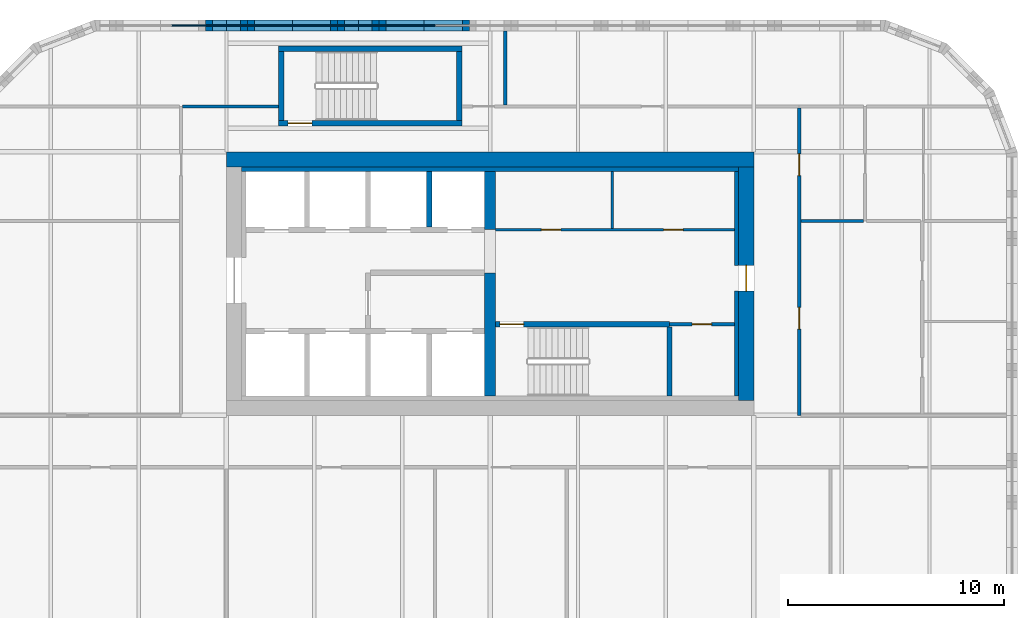
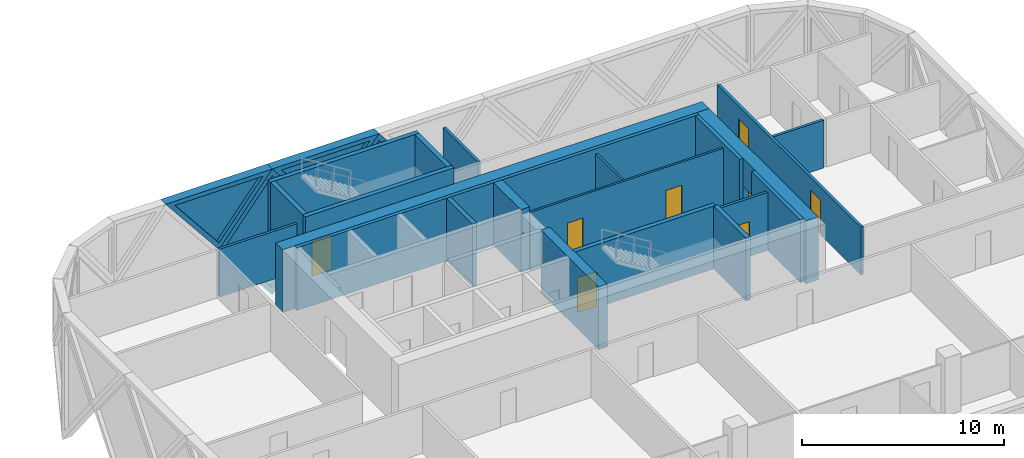
# One storey, part 18 of 24: 25 walls, 8 doors, 4 plates, 12 openings.
"""IFC4 building model written with IfcOpenShell, lengths in metres."""

from ifc_helpers import new_model, si_unit, direction, frame, frame_2d, origin, place, context, subcontext, project, spatial, polyline, rectangle, outline, extrude, faceted_brep, source, transform, mapped, material, layer, layer_set, type_object, element, fill, save


model = new_model("IFC4")

# Units and contexts
model_context = context("Model", 3, precision=1e-05, world=origin(), true_north=direction((0.0, 1.0)))
body_context = subcontext(model_context, "Body", "Model", "MODEL_VIEW")
ifc_project = project(units=[si_unit("LENGTHUNIT", "METRE"), si_unit("AREAUNIT", "SQUARE_METRE"), si_unit("VOLUMEUNIT", "CUBIC_METRE"), si_unit("PLANEANGLEUNIT", "RADIAN"), si_unit("MASSUNIT", "GRAM", prefix="KILO")], contexts=[model_context])

# Site, building, storey
site_placement = place(None, origin())
site = spatial("IfcSite", under=ifc_project, at=site_placement, CompositionType="ELEMENT")
building_placement = place(site_placement, origin())
building = spatial("IfcBuilding", under=site, at=building_placement, Name="Tessera Gate Towers", CompositionType="ELEMENT")
storey_placement = place(building_placement, frame((0.0, 0.0, 60.0)))
storey = spatial("IfcBuildingStorey", under=building, at=storey_placement, Name="L14", CompositionType="ELEMENT", Elevation=60.0)

# Wall, opening, door
ifc_material_1 = material(Name="Concrete C40/50", Category="concrete")
ifc_layer_1 = layer(ifc_material_1, 0.25)
ifc_layer_set_1 = layer_set([ifc_layer_1], Name="CORE ENCLOSURE WALL 250")
wall_type_1 = type_object("IfcWallType", Name="CORE ENCLOSURE WALL 250", PredefinedType="SOLIDWALL", material=ifc_layer_set_1)
wall_1_placement = place(storey_placement, frame((118.10009765625, 40.824951171875, 0.0), z_axis=(0.0, 0.0, 1.0), x_axis=(-1.0, 0.0, 0.0)))
wall_1 = element("IfcWall", 1, at=wall_1_placement, inside=storey, type_object=wall_type_1, Name="L14 shaft and stair enclosure wall", PredefinedType="SOLIDWALL", context=body_context, shape_type="SweptSolid", body=[
    extrude(rectangle(XDim=8.050048828125, YDim=0.25, at=frame_2d((4.02490234375, 0.0))), origin(), (0.0, 0.0, 1.0), 3.800048828125),
])
shared_shape_1 = source(origin(), body_context, "Body", "SweptSolid", [
    extrude(rectangle(XDim=1.10009765625, YDim=2.10009765625, at=frame_2d((0.550048828125, 1.050048828125))), frame((0.0, 0.135009765625, 0.0), z_axis=(0.0, -1.0, 0.0), x_axis=(1.0, 0.0, 0.0)), (0.0, 0.0, 1.0), 0.27001953125),
])
opening_1_placement = place(wall_1_placement, frame((6.75, 0.0, 0.0)))
opening_1 = element("IfcOpeningElement", 2, at=opening_1_placement, cuts=wall_1, Name="Opening SD-ST6-1", PredefinedType="OPENING", context=body_context, shape_type="MappedRepresentation", body=[
    mapped(shared_shape_1, transform((0.0, 0.0, 0.0), scale=1.0)),
])
ifc_material_2 = material(Name="Hollow steel fire door", Category="steel")
door_type_1 = type_object("IfcDoorType", Name="CORE DOOR SD1100 1100x2100", OperationType="NOTDEFINED", PredefinedType="DOOR", material=ifc_material_2)
shared_shape_2 = source(origin(), body_context, "Body", "SweptSolid", [
    extrude(rectangle(XDim=1.10009765625, YDim=2.10009765625, at=frame_2d((0.550048828125, 1.050048828125))), frame((0.0, 0.02490234375, 0.0), z_axis=(0.0, -1.0, 0.0), x_axis=(1.0, 0.0, 0.0)), (0.0, 0.0, 1.0), 0.050048828125),
])
door_1_placement = place(opening_1_placement, origin())
door_1 = element("IfcDoor", 3, at=door_1_placement, inside=storey, type_object=door_type_1, Name="Stair door", OperationType="SINGLE_SWING_RIGHT", OverallHeight=2.10009765625, OverallWidth=1.10009765625, PredefinedType="DOOR", context=body_context, shape_type="MappedRepresentation", body=[
    mapped(shared_shape_2, transform((0.0, 0.0, 0.0), scale=1.0)),
])
fill(opening_1, door_1)

# Walls
wall_2_placement = place(storey_placement, frame((118.10009765625, 37.5, 0.0), z_axis=(0.0, 0.0, 1.0), x_axis=(0.0, 1.0, 0.0)))
element("IfcWall", 4, at=wall_2_placement, inside=storey, type_object=wall_type_1, Name="L14 shaft and stair enclosure wall", PredefinedType="SOLIDWALL", context=body_context, shape_type="SweptSolid", body=[
    extrude(rectangle(XDim=3.199951171875, YDim=0.25, at=frame_2d((1.60009765625, 0.0))), origin(), (0.0, 0.0, 1.0), 3.800048828125),
])
wall_3_placement = place(storey_placement, frame((106.97509765625, 45.324951171875, 0.0), z_axis=(0.0, 0.0, 1.0), x_axis=(0.0, 1.0, 0.0)))
element("IfcWall", 5, at=wall_3_placement, inside=storey, type_object=wall_type_1, Name="L14 shaft and stair enclosure wall", PredefinedType="SOLIDWALL", context=body_context, shape_type="SweptSolid", body=[
    extrude(rectangle(XDim=2.574951171875, YDim=0.25, at=frame_2d((1.28759765625, 0.0))), origin(), (0.0, 0.0, 1.0), 3.800048828125),
])

# Wall, opening, door
wall_4_placement = place(storey_placement, frame((108.5, 50.125, 0.0), z_axis=(0.0, 0.0, 1.0), x_axis=(-1.0, 0.0, 0.0)))
wall_4 = element("IfcWall", 6, at=wall_4_placement, inside=storey, type_object=wall_type_1, Name="L14 ST7 enclosure wall", PredefinedType="SOLIDWALL", context=body_context, shape_type="SweptSolid", body=[
    extrude(rectangle(XDim=8.5, YDim=0.25, at=frame_2d((4.25, 0.0))), origin(), (0.0, 0.0, 1.0), 3.800048828125),
])
opening_2_placement = place(wall_4_placement, frame((6.949951171875, 0.0, 0.0)))
opening_2 = element("IfcOpeningElement", 7, at=opening_2_placement, cuts=wall_4, Name="Opening SD-ST7-1", PredefinedType="OPENING", context=body_context, shape_type="MappedRepresentation", body=[
    mapped(shared_shape_1, transform((0.0, 0.0, 0.0), scale=1.0)),
])
door_2_placement = place(opening_2_placement, origin())
door_2 = element("IfcDoor", 8, at=door_2_placement, inside=storey, type_object=door_type_1, Name="Stair door", OperationType="SINGLE_SWING_RIGHT", OverallHeight=2.10009765625, OverallWidth=1.10009765625, PredefinedType="DOOR", context=body_context, shape_type="MappedRepresentation", body=[
    mapped(shared_shape_2, transform((0.0, 0.0, 0.0), scale=1.0)),
])
fill(opening_2, door_2)

# Walls
wall_5_placement = place(storey_placement, frame((100.125, 50.25, 0.0), z_axis=(0.0, 0.0, 1.0), x_axis=(0.0, 1.0, 0.0)))
element("IfcWall", 9, at=wall_5_placement, inside=storey, type_object=wall_type_1, Name="L14 ST7 enclosure wall", PredefinedType="SOLIDWALL", context=body_context, shape_type="SweptSolid", body=[
    extrude(rectangle(XDim=3.199951171875, YDim=0.25, at=frame_2d((1.60009765625, 0.0))), origin(), (0.0, 0.0, 1.0), 3.800048828125),
])
wall_6_placement = place(storey_placement, frame((100.0, 53.574951171875, 0.0), z_axis=(0.0, 0.0, 1.0), x_axis=(1.0, 0.0, 0.0)))
element("IfcWall", 10, at=wall_6_placement, inside=storey, type_object=wall_type_1, Name="L14 ST7 enclosure wall", PredefinedType="SOLIDWALL", context=body_context, shape_type="SweptSolid", body=[
    extrude(rectangle(XDim=8.5, YDim=0.25, at=frame_2d((4.25, 0.0))), origin(), (0.0, 0.0, 1.0), 3.800048828125),
])
wall_7_placement = place(storey_placement, frame((108.375, 53.449951171875, 0.0), z_axis=(0.0, 0.0, 1.0), x_axis=(0.0, -1.0, 0.0)))
element("IfcWall", 11, at=wall_7_placement, inside=storey, type_object=wall_type_1, Name="L14 ST7 enclosure wall", PredefinedType="SOLIDWALL", context=body_context, shape_type="SweptSolid", body=[
    extrude(rectangle(XDim=3.199951171875, YDim=0.25, at=frame_2d((1.60009765625, 0.0))), origin(), (0.0, 0.0, 1.0), 3.800048828125),
])

# Wall, openings, doors
ifc_material_3 = material(Name="Gypsum board on steel studs", Category="steel")
ifc_layer_2 = layer(ifc_material_3, 0.1201171875)
ifc_layer_set_2 = layer_set([ifc_layer_2], Name="CORE PARTITION 120")
wall_type_2 = type_object("IfcWallType", Name="CORE PARTITION 120", PredefinedType="PARTITIONING", material=ifc_layer_set_2)
wall_8_placement = place(storey_placement, frame((110.050048828125, 45.199951171875, 0.0), z_axis=(0.0, 0.0, 1.0), x_axis=(1.0, 0.0, 0.0)))
wall_8 = element("IfcWall", 12, at=wall_8_placement, inside=storey, type_object=wall_type_2, Name="L14 core partition", PredefinedType="PARTITIONING", context=body_context, shape_type="SweptSolid", body=[
    extrude(rectangle(XDim=11.050048828125, YDim=0.1201171875, at=frame_2d((5.52490234375, 0.0))), origin(), (0.0, 0.0, 1.0), 3.5),
])
shared_shape_3 = source(origin(), body_context, "Body", "SweptSolid", [
    extrude(rectangle(XDim=0.89990234375, YDim=2.10009765625, at=frame_2d((0.449951171875, 1.050048828125))), frame((0.0, 0.070068359375, 0.0), z_axis=(0.0, -1.0, 0.0), x_axis=(1.0, 0.0, 0.0)), (0.0, 0.0, 1.0), 0.14013671875),
])
opening_3_placement = place(wall_8_placement, frame((2.125, 0.0, 0.0)))
opening_3 = element("IfcOpeningElement", 13, at=opening_3_placement, cuts=wall_8, Name="Opening RD-T2-04-04", PredefinedType="OPENING", context=body_context, shape_type="MappedRepresentation", body=[
    mapped(shared_shape_3, transform((0.0, 0.0, 0.0), scale=1.0)),
])
opening_4_placement = place(wall_8_placement, frame((7.77490234375, 0.0, 0.0)))
opening_4 = element("IfcOpeningElement", 14, at=opening_4_placement, cuts=wall_8, Name="Opening RD-T2-04-05", PredefinedType="OPENING", context=body_context, shape_type="MappedRepresentation", body=[
    mapped(shared_shape_3, transform((0.0, 0.0, 0.0), scale=1.0)),
])
ifc_material_4 = material(Name="Hollow steel fire door", Category="steel")
door_type_2 = type_object("IfcDoorType", Name="CORE DOOR RD 900x2100", OperationType="NOTDEFINED", PredefinedType="DOOR", material=ifc_material_4)
shared_shape_4 = source(origin(), body_context, "Body", "SweptSolid", [
    extrude(rectangle(XDim=0.89990234375, YDim=2.10009765625, at=frame_2d((0.449951171875, 1.050048828125))), frame((0.0, 0.02490234375, 0.0), z_axis=(0.0, -1.0, 0.0), x_axis=(1.0, 0.0, 0.0)), (0.0, 0.0, 1.0), 0.050048828125),
])
door_3_placement = place(opening_3_placement, origin())
door_3 = element("IfcDoor", 15, at=door_3_placement, inside=storey, type_object=door_type_2, Name="Core room door", OperationType="SINGLE_SWING_LEFT", OverallHeight=2.10009765625, OverallWidth=0.89990234375, PredefinedType="DOOR", context=body_context, shape_type="MappedRepresentation", body=[
    mapped(shared_shape_4, transform((0.0, 0.0, 0.0), scale=1.0)),
])
fill(opening_3, door_3)
door_4_placement = place(opening_4_placement, origin())
door_4 = element("IfcDoor", 16, at=door_4_placement, inside=storey, type_object=door_type_2, Name="Core room door", OperationType="SINGLE_SWING_RIGHT", OverallHeight=2.10009765625, OverallWidth=0.89990234375, PredefinedType="DOOR", context=body_context, shape_type="MappedRepresentation", body=[
    mapped(shared_shape_4, transform((0.0, 0.0, 0.0), scale=1.0)),
])
fill(opening_4, door_4)

# Walls
wall_9_placement = place(storey_placement, frame((115.449951171875, 45.260009765625, 0.0), z_axis=(0.0, 0.0, 1.0), x_axis=(0.0, 1.0, 0.0)))
element("IfcWall", 17, at=wall_9_placement, inside=storey, type_object=wall_type_2, Name="L14 core partition", PredefinedType="PARTITIONING", context=body_context, shape_type="SweptSolid", body=[
    extrude(rectangle(XDim=2.639892578125, YDim=0.1201171875, at=frame_2d((1.31982421875, 0.0))), origin(), (0.0, 0.0, 1.0), 3.5),
])
ifc_material_5 = material(Name="Concrete C60/75", Category="concrete")
ifc_layer_3 = layer(ifc_material_5, 0.699951171875)
ifc_layer_set_3 = layer_set([ifc_layer_3], Name="CORE SHEAR WALL 700 C60/75")
wall_type_3 = type_object("IfcWallType", Name="CORE SHEAR WALL 700 C60/75", PredefinedType="SHEAR", material=ifc_layer_set_3)
wall_10_placement = place(storey_placement, frame((97.60009765625, 48.449951171875, 0.0), z_axis=(0.0, 0.0, 1.0), x_axis=(1.0, 0.0, 0.0)))
element("IfcWall", 18, at=wall_10_placement, inside=storey, type_object=wall_type_3, Name="Core wall N L14", PredefinedType="SHEAR", context=body_context, shape_type="SweptSolid", body=[
    extrude(rectangle(XDim=24.39990234375, YDim=0.699951171875, at=frame_2d((12.199951171875, 0.0))), origin(), (0.0, 0.0, 1.0), 3.800048828125),
])

# Wall, opening, door
wall_11_placement = place(storey_placement, frame((121.64990234375, 48.10009765625, 0.0), z_axis=(0.0, 0.0, 1.0), x_axis=(0.0, -1.0, 0.0)))
wall_11 = element("IfcWall", 19, at=wall_11_placement, inside=storey, type_object=wall_type_3, Name="Core wall E L14", PredefinedType="SHEAR", context=body_context, shape_type="SweptSolid", body=[
    extrude(rectangle(XDim=10.800048828125, YDim=0.699951171875, at=frame_2d((5.39990234375, 0.0))), origin(), (0.0, 0.0, 1.0), 3.800048828125),
])
shared_shape_5 = source(origin(), body_context, "Body", "SweptSolid", [
    extrude(rectangle(XDim=1.199951171875, YDim=2.10009765625, at=frame_2d((0.60009765625, 1.050048828125))), frame((0.0, 0.35986328125, 0.0), z_axis=(0.0, -1.0, 0.0), x_axis=(1.0, 0.0, 0.0)), (0.0, 0.0, 1.0), 0.719970703125),
])
opening_5_placement = place(wall_11_placement, frame((4.550048828125, 0.0, 0.0)))
opening_5 = element("IfcOpeningElement", 20, at=opening_5_placement, cuts=wall_11, Name="Opening ED-T2-04-02", PredefinedType="OPENING", context=body_context, shape_type="MappedRepresentation", body=[
    mapped(shared_shape_5, transform((0.0, 0.0, 0.0), scale=1.0)),
])
ifc_material_6 = material(Name="Hollow steel fire door", Category="steel")
door_type_3 = type_object("IfcDoorType", Name="CORE DOOR ED 1200x2100", OperationType="NOTDEFINED", PredefinedType="DOOR", material=ifc_material_6)
shared_shape_6 = source(origin(), body_context, "Body", "SweptSolid", [
    extrude(rectangle(XDim=1.199951171875, YDim=2.10009765625, at=frame_2d((0.60009765625, 1.050048828125))), frame((0.0, 0.02490234375, 0.0), z_axis=(0.0, -1.0, 0.0), x_axis=(1.0, 0.0, 0.0)), (0.0, 0.0, 1.0), 0.050048828125),
])
door_5_placement = place(opening_5_placement, origin())
door_5 = element("IfcDoor", 21, at=door_5_placement, inside=storey, type_object=door_type_3, Name="Core exit door", OperationType="SINGLE_SWING_LEFT", OverallHeight=2.10009765625, OverallWidth=1.199951171875, PredefinedType="DOOR", context=body_context, shape_type="MappedRepresentation", body=[
    mapped(shared_shape_6, transform((0.0, 0.0, 0.0), scale=1.0)),
])
fill(opening_5, door_5)

# Walls
ifc_material_7 = material(Name="Concrete C60/75", Category="concrete")
ifc_layer_4 = layer(ifc_material_7, 0.5)
ifc_layer_set_4 = layer_set([ifc_layer_4], Name="CORE SPINE WALL 500 C60/75")
wall_type_4 = type_object("IfcWallType", Name="CORE SPINE WALL 500 C60/75", PredefinedType="SHEAR", material=ifc_layer_set_4)
wall_12_placement = place(storey_placement, frame((109.800048828125, 37.5, 0.0), z_axis=(0.0, 0.0, 1.0), x_axis=(0.0, 1.0, 0.0)))
element("IfcWall", 22, at=wall_12_placement, inside=storey, type_object=wall_type_4, Name="Core wall spine L14", PredefinedType="SHEAR", context=body_context, shape_type="SweptSolid", body=[
    extrude(rectangle(XDim=5.699951171875, YDim=0.5, at=frame_2d((2.85009765625, 0.0))), origin(), (0.0, 0.0, 1.0), 3.800048828125),
])
wall_13_placement = place(storey_placement, frame((109.800048828125, 45.199951171875, 0.0), z_axis=(0.0, 0.0, 1.0), x_axis=(0.0, 1.0, 0.0)))
element("IfcWall", 23, at=wall_13_placement, inside=storey, type_object=wall_type_4, Name="Core wall spine L14", PredefinedType="SHEAR", context=body_context, shape_type="SweptSolid", body=[
    extrude(rectangle(XDim=2.699951171875, YDim=0.5, at=frame_2d((1.35009765625, 0.0))), origin(), (0.0, 0.0, 1.0), 3.800048828125),
])
ifc_material_8 = material(Name="Concrete C60/75", Category="concrete")
ifc_layer_5 = layer(ifc_material_8, 0.199951171875)
ifc_layer_set_5 = layer_set([ifc_layer_5], Name="CORE WALL THICKENING 200")
wall_type_5 = type_object("IfcWallType", Name="CORE WALL THICKENING 200", PredefinedType="SOLIDWALL", material=ifc_layer_set_5)
wall_14_placement = place(storey_placement, frame((98.300048828125, 48.0, 0.0), z_axis=(0.0, 0.0, 1.0), x_axis=(1.0, 0.0, 0.0)))
element("IfcWall", 24, at=wall_14_placement, inside=storey, type_object=wall_type_5, Name="Core wall thickening N L14", PredefinedType="SOLIDWALL", context=body_context, shape_type="SweptSolid", body=[
    extrude(rectangle(XDim=23.0, YDim=0.199951171875, at=frame_2d((11.5, 0.0))), origin(), (0.0, 0.0, 1.0), 3.800048828125),
])
wall_15_placement = place(storey_placement, frame((121.199951171875, 37.5, 0.0), z_axis=(0.0, 0.0, 1.0), x_axis=(0.0, 1.0, 0.0)))
element("IfcWall", 25, at=wall_15_placement, inside=storey, type_object=wall_type_5, Name="Core wall thickening E L14", PredefinedType="SOLIDWALL", context=body_context, shape_type="SweptSolid", body=[
    extrude(rectangle(XDim=4.85009765625, YDim=0.199951171875, at=frame_2d((2.425048828125, 0.0))), origin(), (0.0, 0.0, 1.0), 3.800048828125),
])
wall_16_placement = place(storey_placement, frame((121.199951171875, 43.550048828125, 0.0), z_axis=(0.0, 0.0, 1.0), x_axis=(0.0, 1.0, 0.0)))
element("IfcWall", 26, at=wall_16_placement, inside=storey, type_object=wall_type_5, Name="Core wall thickening E L14", PredefinedType="SOLIDWALL", context=body_context, shape_type="SweptSolid", body=[
    extrude(rectangle(XDim=4.349853515625, YDim=0.199951171875, at=frame_2d((2.1748046875, 0.0))), origin(), (0.0, 0.0, 1.0), 3.800048828125),
])

# Wall, openings, doors
ifc_material_9 = material(Name="Gypsum board on steel studs, mineral wool", Category="steel")
ifc_layer_6 = layer(ifc_material_9, 0.14990234375)
ifc_layer_set_6 = layer_set([ifc_layer_6], Name="CORRIDOR WALL 150")
wall_type_6 = type_object("IfcWallType", Name="CORRIDOR WALL 150", PredefinedType="PARTITIONING", material=ifc_layer_set_6)
wall_17_placement = place(storey_placement, frame((124.10009765625, 50.823974609375, 0.0), z_axis=(0.0, 0.0, 1.0), x_axis=(0.0, -1.0, 0.0)))
wall_17 = element("IfcWall", 27, at=wall_17_placement, inside=storey, type_object=wall_type_6, Name="T2-L14-PW-019", PredefinedType="PARTITIONING", context=body_context, shape_type="SweptSolid", body=[
    extrude(rectangle(XDim=14.223876953125, YDim=0.14990234375, at=frame_2d((7.11181640625, 0.0))), origin(), (0.0, 0.0, 1.0), 2.887939453125),
])
shared_shape_7 = source(origin(), body_context, "Body", "SweptSolid", [
    extrude(rectangle(XDim=1.0, YDim=2.10009765625, at=frame_2d((0.5, 1.050048828125))), frame((0.0, 0.0849609375, 0.0), z_axis=(0.0, -1.0, 0.0), x_axis=(1.0, 0.0, 0.0)), (0.0, 0.0, 1.0), 0.169921875),
])
opening_6_placement = place(wall_17_placement, frame((2.123046875, 0.0, 0.0)))
opening_6 = element("IfcOpeningElement", 28, at=opening_6_placement, cuts=wall_17, Name="Opening D2100FD60-B06-01", PredefinedType="OPENING", context=body_context, shape_type="MappedRepresentation", body=[
    mapped(shared_shape_7, transform((0.0, 0.0, 0.0), scale=1.0)),
])
opening_7_placement = place(wall_17_placement, frame((9.22412109375, 0.0, 0.0)))
opening_7 = element("IfcOpeningElement", 29, at=opening_7_placement, cuts=wall_17, Name="Opening D2100FD60-B06-04", PredefinedType="OPENING", context=body_context, shape_type="MappedRepresentation", body=[
    mapped(shared_shape_7, transform((0.0, 0.0, 0.0), scale=1.0)),
])
ifc_material_10 = material(Name="Timber door leaf in steel frame", Category="steel")
door_type_4 = type_object("IfcDoorType", Name="TENANCY ENTRANCE DOOR 1000 FD60", OperationType="NOTDEFINED", PredefinedType="DOOR", material=ifc_material_10)
shared_shape_8 = source(origin(), body_context, "Body", "SweptSolid", [
    extrude(rectangle(XDim=1.0, YDim=2.10009765625, at=frame_2d((0.5, 1.050048828125))), frame((0.0, 0.02490234375, 0.0), z_axis=(0.0, -1.0, 0.0), x_axis=(1.0, 0.0, 0.0)), (0.0, 0.0, 1.0), 0.050048828125),
])
door_6_placement = place(opening_6_placement, origin())
door_6 = element("IfcDoor", 30, at=door_6_placement, inside=storey, type_object=door_type_4, Name="T2-L14-PD-006", OperationType="SINGLE_SWING_RIGHT", OverallHeight=2.10009765625, OverallWidth=1.0, PredefinedType="DOOR", context=body_context, shape_type="MappedRepresentation", body=[
    mapped(shared_shape_8, transform((0.0, 0.0, 0.0), scale=1.0)),
])
fill(opening_6, door_6)
door_7_placement = place(opening_7_placement, origin())
door_7 = element("IfcDoor", 31, at=door_7_placement, inside=storey, type_object=door_type_4, Name="T2-L14-PD-020", OperationType="SINGLE_SWING_RIGHT", OverallHeight=2.10009765625, OverallWidth=1.0, PredefinedType="DOOR", context=body_context, shape_type="MappedRepresentation", body=[
    mapped(shared_shape_8, transform((0.0, 0.0, 0.0), scale=1.0)),
])
fill(opening_7, door_7)

# Wall
wall_18_placement = place(storey_placement, frame((95.575927734375, 50.89990234375, 0.0), z_axis=(0.0, 0.0, 1.0), x_axis=(1.0, 0.0, 0.0)))
element("IfcWall", 32, at=wall_18_placement, inside=storey, type_object=wall_type_6, Name="T2-L14-PW-031", PredefinedType="PARTITIONING", context=body_context, shape_type="SweptSolid", body=[
    extrude(rectangle(XDim=4.424072265625, YDim=0.14990234375, at=frame_2d((2.2119140625, 0.0))), origin(), (0.0, 0.0, 1.0), 2.887939453125),
])

# Wall, opening, door
ifc_material_11 = material(Name="Gypsum board on steel studs", Category="steel")
ifc_layer_7 = layer(ifc_material_11, 0.14990234375)
ifc_layer_set_7 = layer_set([ifc_layer_7], Name="SERVICE ROOM WALL 150")
wall_type_7 = type_object("IfcWallType", Name="SERVICE ROOM WALL 150", PredefinedType="PARTITIONING", material=ifc_layer_set_7)
wall_19_placement = place(storey_placement, frame((121.10009765625, 40.824951171875, 0.0), z_axis=(0.0, 0.0, 1.0), x_axis=(-1.0, 0.0, 0.0)))
wall_19 = element("IfcWall", 33, at=wall_19_placement, inside=storey, type_object=wall_type_7, Name="L14 service room wall", PredefinedType="PARTITIONING", context=body_context, shape_type="SweptSolid", body=[
    extrude(rectangle(XDim=3.0, YDim=0.14990234375, at=frame_2d((1.5, 0.0))), origin(), (0.0, 0.0, 1.0), 3.5),
])
shared_shape_9 = source(origin(), body_context, "Body", "SweptSolid", [
    extrude(rectangle(XDim=0.89990234375, YDim=2.10009765625, at=frame_2d((0.449951171875, 1.050048828125))), frame((0.0, 0.0849609375, 0.0), z_axis=(0.0, -1.0, 0.0), x_axis=(1.0, 0.0, 0.0)), (0.0, 0.0, 1.0), 0.169921875),
])
opening_8_placement = place(wall_19_placement, frame((1.050048828125, 0.0, 0.0)))
opening_8 = element("IfcOpeningElement", 34, at=opening_8_placement, cuts=wall_19, Name="Opening RD-T2-04-06", PredefinedType="OPENING", context=body_context, shape_type="MappedRepresentation", body=[
    mapped(shared_shape_9, transform((0.0, 0.0, 0.0), scale=1.0)),
])
door_8_placement = place(opening_8_placement, origin())
door_8 = element("IfcDoor", 35, at=door_8_placement, inside=storey, type_object=door_type_2, Name="Core room door", OperationType="SINGLE_SWING_RIGHT", OverallHeight=2.10009765625, OverallWidth=0.89990234375, PredefinedType="DOOR", context=body_context, shape_type="MappedRepresentation", body=[
    mapped(shared_shape_4, transform((0.0, 0.0, 0.0), scale=1.0)),
])
fill(opening_8, door_8)

# Walls
ifc_material_12 = material(Name="Gypsum board on steel studs, mineral wool", Category="steel")
ifc_layer_8 = layer(ifc_material_12, 0.14990234375)
ifc_layer_set_8 = layer_set([ifc_layer_8], Name="TENANCY WALL 150")
wall_type_8 = type_object("IfcWallType", Name="TENANCY WALL 150", PredefinedType="PARTITIONING", material=ifc_layer_set_8)
wall_20_placement = place(storey_placement, frame((124.176025390625, 45.60009765625, 0.0), z_axis=(0.0, 0.0, 1.0), x_axis=(1.0, 0.0, 0.0)))
element("IfcWall", 36, at=wall_20_placement, inside=storey, type_object=wall_type_8, Name="T2-L14-PW-025", PredefinedType="PARTITIONING", context=body_context, shape_type="SweptSolid", body=[
    extrude(rectangle(XDim=2.89794921875, YDim=0.14990234375, at=frame_2d((1.448974609375, 0.0))), origin(), (0.0, 0.0, 1.0), 2.887939453125),
])
wall_21_placement = place(storey_placement, frame((110.5, 50.97607421875, 0.0), z_axis=(0.0, 0.0, 1.0), x_axis=(0.0, 1.0, 0.0)))
element("IfcWall", 37, at=wall_21_placement, inside=storey, type_object=wall_type_8, Name="T2-L14-PW-035", PredefinedType="PARTITIONING", context=body_context, shape_type="SweptSolid", body=[
    extrude(rectangle(XDim=3.423828125, YDim=0.14990234375, at=frame_2d((1.7119140625, 0.0))), origin(), (0.0, 0.0, 1.0), 2.887939453125),
])

# Wall, opening, plate
ifc_material_13 = material(Name="Precast concrete C60/75 white", Category="concrete")
ifc_layer_9 = layer(ifc_material_13, 0.5)
ifc_layer_set_9 = layer_set([ifc_layer_9], Name="TS1 tessera")
wall_type_9 = type_object("IfcWallType", Name="TS1 tessera", PredefinedType="SOLIDWALL", material=ifc_layer_set_9)
shared_shape_10 = source(origin(), body_context, "Body", "Brep", [
    faceted_brep([(3.050048828125, -0.25, 0.0), (6.099853515625, -0.25, 3.7998046875), (6.099853515625, -0.25, 3.80029296875), (3.050048828125, -0.25, 7.60009765625), (0.0, -0.25, 3.800048828125), (0.0, 0.25, 3.800048828125), (3.050048828125, 0.25, 7.60009765625), (6.099853515625, 0.25, 3.80029296875), (6.099853515625, 0.25, 3.7998046875), (3.050048828125, 0.25, 0.0)], [[[0, 1, 2, 3, 4]], [[5, 6, 7, 8, 9]], [[9, 8, 1, 0]], [[7, 6, 3, 2]], [[6, 5, 4, 3]], [[5, 9, 0, 4]], [[1, 8, 7, 2]]]),
])
wall_22_placement = place(storey_placement, frame((103.699951171875, 54.64990234375, -3.800048828125), z_axis=(0.0, 0.0, 1.0), x_axis=(-1.0, 0.0, 0.0)))
wall_22 = element("IfcWall", 38, at=wall_22_placement, inside=storey, type_object=wall_type_9, Name="Precast tessera T2 TS1-0175", PredefinedType="SOLIDWALL", context=body_context, shape_type="MappedRepresentation", body=[
    mapped(shared_shape_10, transform((0.0, 0.0, 0.0), scale=1.0)),
])
shared_shape_11 = source(origin(), body_context, "Body", "SweptSolid", [
    extrude(outline(polyline([(3.050048828125, 0.3994140625), (5.779541015625, 3.800048828125), (3.050048828125, 7.20068359375), (0.320556640625, 3.800048828125), (3.050048828125, 0.3994140625)])), frame((0.0, 0.260009765625, 0.0), z_axis=(0.0, -1.0, 0.0), x_axis=(1.0, 0.0, 0.0)), (0.0, 0.0, 1.0), 0.52001953125),
])
opening_9_placement = place(wall_22_placement, origin())
opening_9 = element("IfcOpeningElement", 39, at=opening_9_placement, cuts=wall_22, Name="Opening T2-PL2-0327", PredefinedType="OPENING", context=body_context, shape_type="MappedRepresentation", body=[
    mapped(shared_shape_11, transform((0.0, 0.0, 0.0), scale=1.0)),
])
ifc_material_14 = material(Name="Low-e laminated glass", Category="glass")
ifc_layer_10 = layer(ifc_material_14, 0.06005859375)
ifc_layer_set_10 = layer_set([ifc_layer_10], Name="PL2 rhombic pane")
plate_type_1 = type_object("IfcPlateType", Name="PL2 rhombic pane", PredefinedType="SHEET", material=ifc_layer_set_10)
shared_shape_12 = source(origin(), body_context, "Body", "SweptSolid", [
    extrude(outline(polyline([(3.050048828125, 0.3994140625), (5.779541015625, 3.800048828125), (3.050048828125, 7.20068359375), (0.320556640625, 3.800048828125), (3.050048828125, 0.3994140625)])), frame((0.0, 0.030029296875, 0.0), z_axis=(0.0, -1.0, 0.0), x_axis=(1.0, 0.0, 0.0)), (0.0, 0.0, 1.0), 0.06005859375),
])
plate_1_placement = place(opening_9_placement, origin())
plate_1 = element("IfcPlate", 40, at=plate_1_placement, inside=storey, type_object=plate_type_1, Name="Glass pane T2 PL2-0327", PredefinedType="SHEET", context=body_context, shape_type="MappedRepresentation", body=[
    mapped(shared_shape_12, transform((0.0, 0.0, 0.0), scale=1.0)),
])
fill(opening_9, plate_1)

shared_shape_13 = source(origin(), body_context, "Body", "SweptSolid", [
    extrude(outline(polyline([(3.050048828125, 0.0), (6.10009765625, 3.800048828125), (3.050048828125, 7.60009765625), (0.0, 3.800048828125), (3.050048828125, 0.0)])), frame((0.0, 0.25, 0.0), z_axis=(0.0, -1.0, 0.0), x_axis=(1.0, 0.0, 0.0)), (0.0, 0.0, 1.0), 0.5),
])
wall_23_placement = place(storey_placement, frame((109.800048828125, 54.64990234375, -3.800048828125), z_axis=(0.0, 0.0, 1.0), x_axis=(-1.0, 0.0, 0.0)))
wall_23 = element("IfcWall", 41, at=wall_23_placement, inside=storey, type_object=wall_type_9, Name="Precast tessera T2 TS1-0174", PredefinedType="SOLIDWALL", context=body_context, shape_type="MappedRepresentation", body=[
    mapped(shared_shape_13, transform((0.0, 0.0, 0.0), scale=1.0)),
])
opening_10_placement = place(wall_23_placement, origin())
opening_10 = element("IfcOpeningElement", 42, at=opening_10_placement, cuts=wall_23, Name="Opening T2-PL2-0326", PredefinedType="OPENING", context=body_context, shape_type="MappedRepresentation", body=[
    mapped(shared_shape_11, transform((0.0, 0.0, 0.0), scale=1.0)),
])
plate_2_placement = place(opening_10_placement, origin())
plate_2 = element("IfcPlate", 43, at=plate_2_placement, inside=storey, type_object=plate_type_1, Name="Glass pane T2 PL2-0326", PredefinedType="SHEET", context=body_context, shape_type="MappedRepresentation", body=[
    mapped(shared_shape_12, transform((0.0, 0.0, 0.0), scale=1.0)),
])
fill(opening_10, plate_2)

ifc_material_15 = material(Name="Precast concrete C60/75 white", Category="concrete")
ifc_layer_11 = layer(ifc_material_15, 0.5)
ifc_layer_set_11 = layer_set([ifc_layer_11], Name="TS2 half tessera")
wall_type_10 = type_object("IfcWallType", Name="TS2 half tessera", PredefinedType="SOLIDWALL", material=ifc_layer_set_11)
shared_shape_14 = source(origin(), body_context, "Body", "Brep", [
    faceted_brep([(3.050048828125, -0.25, 0.0), (6.099853515625, -0.25, 3.7998046875), (6.099853515625, -0.25, 3.800048828125), (0.0, -0.25, 3.800048828125), (0.0, 0.25, 3.800048828125), (6.099853515625, 0.25, 3.800048828125), (6.099853515625, 0.25, 3.7998046875), (3.050048828125, 0.25, 0.0)], [[[0, 1, 2, 3]], [[4, 5, 6, 7]], [[7, 6, 1, 0]], [[5, 4, 3, 2]], [[4, 7, 0, 3]], [[1, 6, 5, 2]]]),
])
wall_24_placement = place(storey_placement, frame((100.64990234375, 54.64990234375, 0.0), z_axis=(0.0, 0.0, 1.0), x_axis=(-1.0, 0.0, 0.0)))
wall_24 = element("IfcWall", 44, at=wall_24_placement, inside=storey, type_object=wall_type_10, Name="Precast half tessera T2 TS2-0067", PredefinedType="SOLIDWALL", context=body_context, shape_type="MappedRepresentation", body=[
    mapped(shared_shape_14, transform((0.0, 0.0, 0.0), scale=1.0)),
])
shared_shape_15 = source(origin(), body_context, "Body", "SweptSolid", [
    extrude(outline(polyline([(3.050048828125, 0.3994140625), (5.578857421875, 3.550048828125), (0.521240234375, 3.550048828125), (3.050048828125, 0.3994140625)])), frame((0.0, 0.260009765625, 0.0), z_axis=(0.0, -1.0, 0.0), x_axis=(1.0, 0.0, 0.0)), (0.0, 0.0, 1.0), 0.52001953125),
])
opening_11_placement = place(wall_24_placement, origin())
opening_11 = element("IfcOpeningElement", 45, at=opening_11_placement, cuts=wall_24, Name="Opening T2-PL1-0125", PredefinedType="OPENING", context=body_context, shape_type="MappedRepresentation", body=[
    mapped(shared_shape_15, transform((0.0, 0.0, 0.0), scale=1.0)),
])
ifc_material_16 = material(Name="Low-e laminated glass", Category="glass")
ifc_layer_12 = layer(ifc_material_16, 0.06005859375)
ifc_layer_set_12 = layer_set([ifc_layer_12], Name="PL1 triangular pane")
plate_type_2 = type_object("IfcPlateType", Name="PL1 triangular pane", PredefinedType="SHEET", material=ifc_layer_set_12)
shared_shape_16 = source(origin(), body_context, "Body", "SweptSolid", [
    extrude(outline(polyline([(3.050048828125, 0.3994140625), (5.578857421875, 3.550048828125), (0.521240234375, 3.550048828125), (3.050048828125, 0.3994140625)])), frame((0.0, 0.030029296875, 0.0), z_axis=(0.0, -1.0, 0.0), x_axis=(1.0, 0.0, 0.0)), (0.0, 0.0, 1.0), 0.06005859375),
])
plate_3_placement = place(opening_11_placement, origin())
plate_3 = element("IfcPlate", 46, at=plate_3_placement, inside=storey, type_object=plate_type_2, Name="Glass pane T2 PL1-0125", PredefinedType="SHEET", context=body_context, shape_type="MappedRepresentation", body=[
    mapped(shared_shape_16, transform((0.0, 0.0, 0.0), scale=1.0)),
])
fill(opening_11, plate_3)

shared_shape_17 = source(origin(), body_context, "Body", "SweptSolid", [
    extrude(outline(polyline([(3.050048828125, 0.0), (6.10009765625, 3.800048828125), (0.0, 3.800048828125), (3.050048828125, 0.0)])), frame((0.0, 0.25, 0.0), z_axis=(0.0, -1.0, 0.0), x_axis=(1.0, 0.0, 0.0)), (0.0, 0.0, 1.0), 0.5),
])
wall_25_placement = place(storey_placement, frame((106.75, 54.64990234375, 0.0), z_axis=(0.0, 0.0, 1.0), x_axis=(-1.0, 0.0, 0.0)))
wall_25 = element("IfcWall", 47, at=wall_25_placement, inside=storey, type_object=wall_type_10, Name="Precast half tessera T2 TS2-0066", PredefinedType="SOLIDWALL", context=body_context, shape_type="MappedRepresentation", body=[
    mapped(shared_shape_17, transform((0.0, 0.0, 0.0), scale=1.0)),
])
opening_12_placement = place(wall_25_placement, origin())
opening_12 = element("IfcOpeningElement", 48, at=opening_12_placement, cuts=wall_25, Name="Opening T2-PL1-0124", PredefinedType="OPENING", context=body_context, shape_type="MappedRepresentation", body=[
    mapped(shared_shape_15, transform((0.0, 0.0, 0.0), scale=1.0)),
])
plate_4_placement = place(opening_12_placement, origin())
plate_4 = element("IfcPlate", 49, at=plate_4_placement, inside=storey, type_object=plate_type_2, Name="Glass pane T2 PL1-0124", PredefinedType="SHEET", context=body_context, shape_type="MappedRepresentation", body=[
    mapped(shared_shape_16, transform((0.0, 0.0, 0.0), scale=1.0)),
])
fill(opening_12, plate_4)

save(model, "model.ifc")
